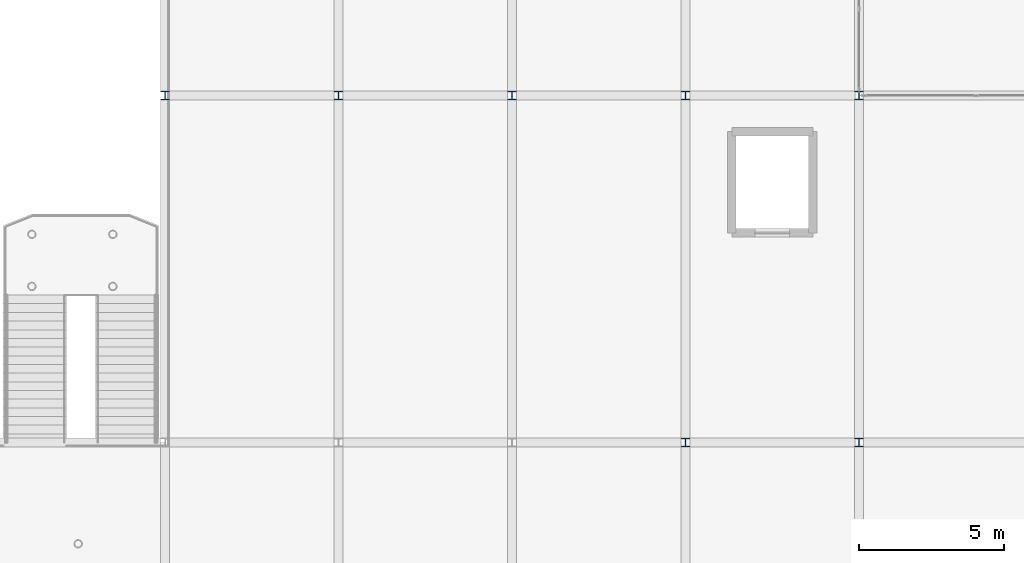
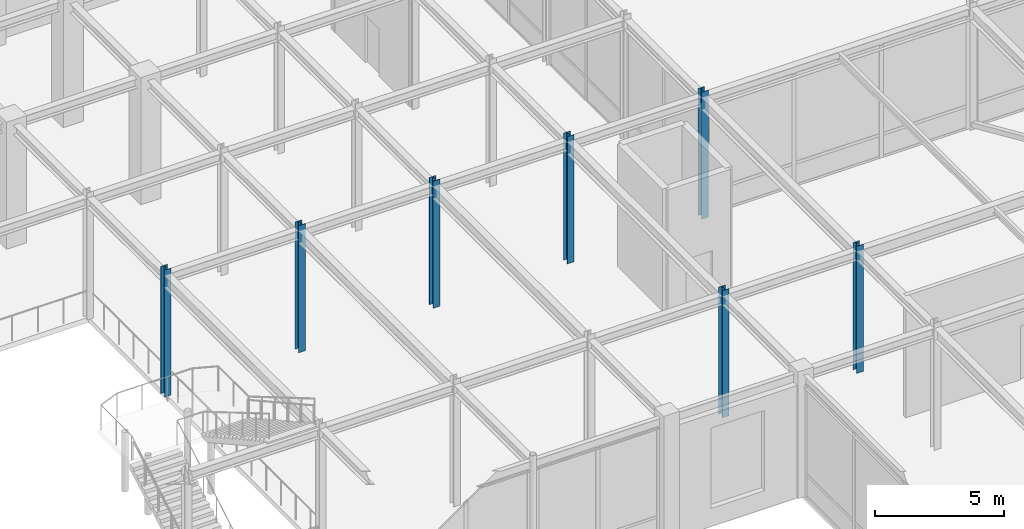
# One storey, part 10 of 108: 7 columns.
"""IFC4 building model written with IfcOpenShell, lengths in metres."""

from ifc_helpers import new_model, si_unit, direction, frame, origin, origin_2d, place, context, subcontext, project, spatial, i_section, extrude, material, material_profile, profile_set, type_object, element, save


model = new_model("IFC4")

# Units and contexts
model_context = context("Model", 3, precision=1e-05, world=origin(), true_north=direction((0.0, 1.0)))
body_context = subcontext(model_context, "Body", "Model", "MODEL_VIEW")
ifc_project = project(units=[si_unit("LENGTHUNIT", "METRE"), si_unit("AREAUNIT", "SQUARE_METRE"), si_unit("VOLUMEUNIT", "CUBIC_METRE"), si_unit("PLANEANGLEUNIT", "RADIAN"), si_unit("MASSUNIT", "GRAM", prefix="KILO")], contexts=[model_context])

# Site, building, storey
site_placement = place(None, origin())
site = spatial("IfcSite", under=ifc_project, at=site_placement, CompositionType="ELEMENT")
building_placement = place(site_placement, origin())
building = spatial("IfcBuilding", under=site, at=building_placement, Name="Zlatovratsky Civic Hall", CompositionType="ELEMENT")
storey_placement = place(building_placement, frame((0.0, 0.0, 6.0)))
storey = spatial("IfcBuildingStorey", under=building, at=storey_placement, Name="L02", CompositionType="ELEMENT", Elevation=6.0)

# Columns
ifc_material = material(Name="Steel S355", Category="steel")
ifc_material_profile = material_profile(ifc_material, i_section(OverallWidth=0.300048828125, OverallDepth=0.300048828125, WebThickness=0.010009765625, FlangeThickness=0.014892578125, FilletRadius=0.01806640625, at=origin_2d()), Name="30K2")
ifc_profile_set = profile_set([ifc_material_profile], Name="Steel S355")
column_type = type_object("IfcColumnType", Name="Col_Steel_30K2", PredefinedType="COLUMN", material=ifc_profile_set)
for number, where, z_axis, x_axis, name in (
    (1, (114.0, 18.0, 0.0), (0.0, 0.0, 1.0), (1.0, 0.0, 0.0), "CL-0875"),
    (2, (120.0, 18.0, 0.0), (0.0, 0.0, 1.0), (1.0, 0.0, 0.0), "CL-0876"),
    (3, (96.0, 30.0, 0.0), (0.0, 0.0, 1.0), (1.0, 0.0, 0.0), "CL-0892"),
    (4, (102.0, 30.0, 0.0), (0.0, 0.0, 1.0), (1.0, 0.0, 0.0), "CL-0893"),
    (5, (108.0, 30.0, 0.0), (0.0, 0.0, 1.0), (1.0, 0.0, 0.0), "CL-0894"),
    (6, (114.0, 30.0, 0.0), (0.0, 0.0, 1.0), (1.0, 0.0, 0.0), "CL-0895"),
    (7, (120.0, 30.0, 0.0), (0.0, 0.0, 1.0), (1.0, 0.0, 0.0), "CL-0896"),
):
    element("IfcColumn", number, at=place(storey_placement, frame(where, z_axis=z_axis, x_axis=x_axis)), inside=storey, type_object=column_type, Name=name, PredefinedType="COLUMN", context=body_context, shape_type="SweptSolid", body=[
        extrude(i_section(OverallWidth=0.300048828125, OverallDepth=0.300048828125, WebThickness=0.010009765625, FlangeThickness=0.014892578125, FilletRadius=0.01806640625, at=origin_2d()), origin(), (0.0, 0.0, 1.0), 6.0),
    ])

save(model, "model.ifc")
